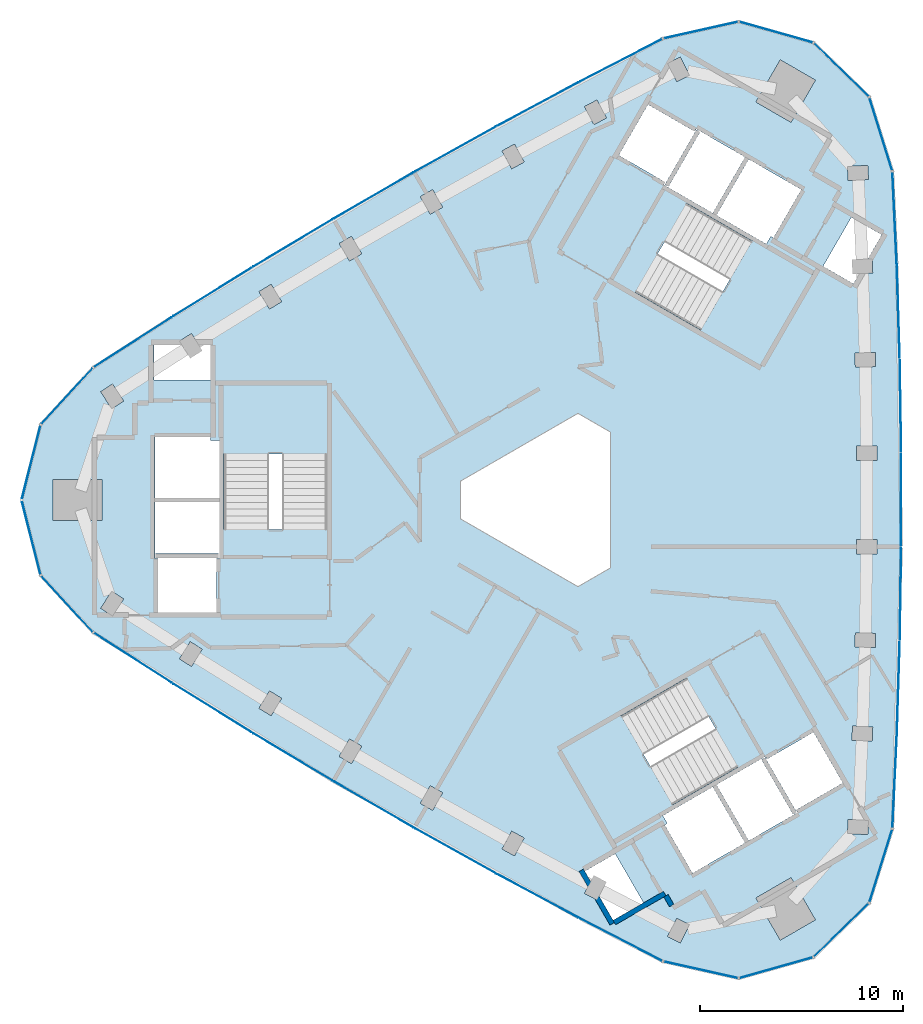
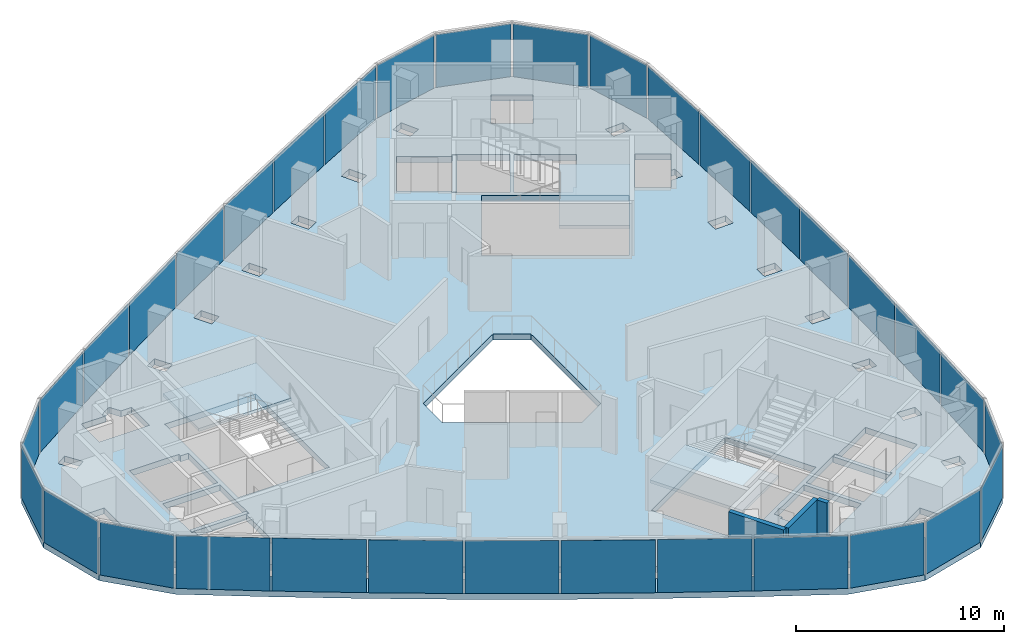
# One storey, part 5 of 10: 33 plates, 4 slabs, 3 walls, 6 elements without a shape of their own.
"""IFC4 building model written with IfcOpenShell, lengths in metres."""

from ifc_helpers import new_model, si_unit, direction, frame, frame_2d, origin, origin_2d, place, context, subcontext, project, spatial, polyline, rectangle, outline, extrude, material, layer, layer_set, type_object, element, aggregate, save


model = new_model("IFC4")

# Units and contexts
model_context = context("Model", 3, precision=1e-05, world=origin(), true_north=direction((0.0, 1.0)))
body_context = subcontext(model_context, "Body", "Model", "MODEL_VIEW")
ifc_project = project(units=[si_unit("LENGTHUNIT", "METRE"), si_unit("AREAUNIT", "SQUARE_METRE"), si_unit("VOLUMEUNIT", "CUBIC_METRE"), si_unit("PLANEANGLEUNIT", "RADIAN"), si_unit("MASSUNIT", "GRAM", prefix="KILO")], contexts=[model_context])

# Site, building, storey
site_placement = place(None, origin())
site = spatial("IfcSite", under=ifc_project, at=site_placement, CompositionType="ELEMENT")
building_placement = place(site_placement, origin())
building = spatial("IfcBuilding", under=site, at=building_placement, Name="Tamra Quay Hotel Tower", CompositionType="ELEMENT")
storey_placement = place(building_placement, frame((0.0, 0.0, 294.60009765625)))
storey = spatial("IfcBuildingStorey", under=building, at=storey_placement, Name="L74", CompositionType="ELEMENT", Elevation=294.60009765625)

# Stair, slab
ifc_material_1 = material(Name="Exit stair 2200 24 risers 150.0 going 342")
stair_type = type_object("IfcStairType", Name="Exit stair 2200 24 risers 150.0 going 342", PredefinedType="HALF_TURN_STAIR", material=ifc_material_1)
stair_1_placement = place(storey_placement, origin())
stair_1 = element("IfcStair", 1, at=stair_1_placement, inside=storey, type_object=stair_type, Name="L74 Exit stair ST3", PredefinedType="HALF_TURN_STAIR")
ifc_material_2 = material(Name="Concrete M70", Category="concrete")
ifc_layer_1 = layer(ifc_material_2, 0.175048828125)
ifc_layer_set_1 = layer_set([ifc_layer_1], Name="Concrete M70 stair landing 180")
slab_type_1 = type_object("IfcSlabType", Name="Concrete M70 stair landing 180", PredefinedType="LANDING", material=ifc_layer_set_1)
slab_1_placement = place(storey_placement, frame((0.0, 0.0, 1.625)))
slab_1 = element("IfcSlab", 2, at=slab_1_placement, type_object=slab_type_1, Name="ST3 landing 1", PredefinedType="LANDING", context=body_context, shape_type="SweptSolid", body=[
    extrude(outline(polyline([(-10.932373046875, 2.261962890625), (-10.932373046875, 5.679931640625), (-16.09130859375, 5.679931640625), (-16.09130859375, 2.261962890625), (-10.932373046875, 2.261962890625)])), origin(), (0.0, 0.0, 1.0), 0.1748046875),
])
aggregate(stair_1, [slab_1])

stair_2_placement = place(storey_placement, origin())
stair_2 = element("IfcStair", 3, at=stair_2_placement, inside=storey, type_object=stair_type, Name="L74 Exit stair ST1", PredefinedType="HALF_TURN_STAIR")
slab_2_placement = place(storey_placement, frame((0.0, 0.0, 1.625)))
slab_2 = element("IfcSlab", 4, at=slab_2_placement, type_object=slab_type_1, Name="ST1 landing 1", PredefinedType="LANDING", context=body_context, shape_type="SweptSolid", body=[
    extrude(outline(polyline([(7.425048828125, 8.336669921875), (10.385009765625, 6.627685546875), (12.964599609375, 11.095458984375), (10.00439453125, 12.804443359375), (7.425048828125, 8.336669921875)])), origin(), (0.0, 0.0, 1.0), 0.1748046875),
])
aggregate(stair_2, [slab_2])

stair_3_placement = place(storey_placement, origin())
stair_3 = element("IfcStair", 5, at=stair_3_placement, inside=storey, type_object=stair_type, Name="L74 Exit stair ST2", PredefinedType="HALF_TURN_STAIR")
slab_3_placement = place(storey_placement, frame((0.0, 0.0, 1.625)))
slab_3 = element("IfcSlab", 6, at=slab_3_placement, type_object=slab_type_1, Name="ST2 landing 1", PredefinedType="LANDING", context=body_context, shape_type="SweptSolid", body=[
    extrude(outline(polyline([(3.50732421875, -10.5986328125), (0.547119140625, -12.3076171875), (3.126708984375, -16.775390625), (6.086669921875, -15.06640625), (3.50732421875, -10.5986328125)])), origin(), (0.0, 0.0, 1.0), 0.1748046875),
])
aggregate(stair_3, [slab_3])

# Slab
ifc_material_3 = material(Name="Concrete M60", Category="concrete")
ifc_layer_2 = layer(ifc_material_3, 0.35009765625)
ifc_layer_set_2 = layer_set([ifc_layer_2], Name="FLOOR SLAB PT 350")
slab_type_2 = type_object("IfcSlabType", Name="FLOOR SLAB PT 350", PredefinedType="FLOOR", material=ifc_layer_set_2)
slab_4_placement = place(storey_placement, frame((0.0, 0.0, -0.35009765625)))
element("IfcSlab", 7, at=slab_4_placement, inside=storey, type_object=slab_type_2, Name="SLAB-L74", PredefinedType="FLOOR", context=body_context, shape_type="SweptSolid", body=[
    extrude(outline(polyline([(17.116943359375, 11.580810546875), (17.26171875, 6.9501953125), (17.333984375, 2.31689453125), (17.333984375, -2.31689453125), (17.26171875, -6.9501953125), (17.116943359375, -11.580810546875), (16.89990234375, -16.210205078125), (15.757080078125, -19.865966796875), (13.01171875, -22.536865234375), (9.325927734375, -23.5791015625), (5.58837890625, -22.740966796875), (1.470947265625, -20.614013671875), (-2.61181640625, -18.42431640625), (-6.660400390625, -16.170166015625), (-10.673583984375, -13.853271484375), (-14.64990234375, -11.473876953125), (-18.587890625, -9.033203125), (-22.488525390625, -6.530517578125), (-25.0830078125, -3.712890625), (-26.0234375, 0.0), (-25.0830078125, 3.712890625), (-22.488525390625, 6.530517578125), (-18.587890625, 9.033203125), (-14.64990234375, 11.473876953125), (-10.673583984375, 13.853271484375), (-6.660400390625, 16.170166015625), (-2.61181640625, 18.42431640625), (1.470947265625, 20.614013671875), (5.58837890625, 22.740966796875), (9.325927734375, 23.5791015625), (13.01171875, 22.536865234375), (15.757080078125, 19.865966796875), (16.89990234375, 16.210205078125), (17.116943359375, 11.580810546875)]), holes=[polyline([(-10.3671875, -12.641357421875), (-9.763671875, -12.99609375), (-9.2568359375, -12.13427734375), (-9.8603515625, -11.779296875), (-10.3671875, -12.641357421875)]), polyline([(-14.324462890625, -10.26708984375), (-13.7265625, -10.63134765625), (-13.206298828125, -9.77734375), (-13.803955078125, -9.4130859375), (-14.324462890625, -10.26708984375)]), polyline([(-18.244140625, -7.831298828125), (-17.652099609375, -8.20458984375), (-17.118896484375, -7.358642578125), (-17.7109375, -6.9853515625), (-18.244140625, -7.831298828125)]), polyline([(-21.57861328125, -4.497314453125), (-22.125244140625, -5.33447265625), (-21.539306640625, -5.71728515625), (-20.992431640625, -4.880126953125), (-21.57861328125, -4.497314453125)]), polyline([(-16.3173828125, -2.85498046875), (-19.4072265625, -2.85498046875), (-19.4072265625, -2.89306640625), (-19.307373046875, -2.89306640625), (-19.307373046875, -5.544921875), (-16.417236328125, -5.544921875), (-16.417236328125, -2.89306640625), (-16.3173828125, -2.89306640625), (-16.3173828125, -2.85498046875)]), polyline([(-19.417236328125, -2.64501953125), (-16.307373046875, -2.64501953125), (-16.307373046875, -2.89306640625), (-16.26708984375, -2.89306640625), (-16.26708984375, -0.10498046875), (-19.45751953125, -0.10498046875), (-19.45751953125, -2.89306640625), (-19.417236328125, -2.89306640625), (-19.417236328125, -2.64501953125)]), polyline([(-24.473388671875, 1.0), (-24.473388671875, -1.0), (-22.073486328125, -1.0), (-22.073486328125, 1.0), (-24.473388671875, 1.0)]), polyline([(-16.707275390625, 2.945068359375), (-16.707275390625, 3.09521484375), (-19.45751953125, 3.09521484375), (-19.45751953125, 0.10498046875), (-16.26708984375, 0.10498046875), (-16.26708984375, 2.945068359375), (-16.707275390625, 2.945068359375)]), polyline([(-16.036376953125, -1.455078125), (-10.9873046875, -1.455078125), (-10.9873046875, 5.625), (-16.036376953125, 5.625), (-16.036376953125, -1.455078125)]), polyline([(-20.992431640625, 4.880126953125), (-21.539306640625, 5.71728515625), (-22.125244140625, 5.33447265625), (-21.57861328125, 4.497314453125), (-20.992431640625, 4.880126953125)]), polyline([(-17.29931640625, 7.64501953125), (-17.652099609375, 8.20458984375), (-18.244140625, 7.831298828125), (-18.126708984375, 7.64501953125), (-19.50732421875, 7.64501953125), (-19.50732421875, 5.9150390625), (-16.71728515625, 5.9150390625), (-16.71728515625, 7.64501953125), (-17.29931640625, 7.64501953125)]), polyline([(-13.7265625, 10.63134765625), (-14.324462890625, 10.26708984375), (-13.803955078125, 9.4130859375), (-13.206298828125, 9.77734375), (-13.7265625, 10.63134765625)]), polyline([(-9.2568359375, 12.13427734375), (-9.763671875, 12.99609375), (-10.3671875, 12.641357421875), (-9.8603515625, 11.779296875), (-9.2568359375, 12.13427734375)]), polyline([(-5.271240234375, 14.428955078125), (-5.764404296875, 15.298828125), (-6.373291015625, 14.95361328125), (-5.880126953125, 14.083740234375), (-5.271240234375, 14.428955078125)]), polyline([(5.818359375, -21.51220703125), (6.44287109375, -21.828369140625), (6.89453125, -20.936279296875), (6.27001953125, -20.6201171875), (5.818359375, -21.51220703125)]), polyline([(3.236083984375, -17.43505859375), (1.73779296875, -18.300048828125), (2.02880859375, -18.80419921875), (1.720703125, -19.389404296875), (2.33984375, -19.715576171875), (2.442626953125, -19.520751953125), (3.1328125, -20.71630859375), (4.631103515625, -19.851318359375), (3.236083984375, -17.43505859375)]), polyline([(-2.34375, -17.203369140625), (-1.7294921875, -17.538818359375), (-1.25, -16.6611328125), (-1.864501953125, -16.32568359375), (-2.34375, -17.203369140625)]), polyline([(5.5830078125, -15.560302734375), (5.80322265625, -15.94140625), (5.673095703125, -16.0166015625), (7.04833984375, -18.398193359375), (9.6376953125, -16.903076171875), (8.042724609375, -14.14013671875), (5.5830078125, -15.560302734375)]), polyline([(12.214111328125, -15.369384765625), (11.999267578125, -15.493408203125), (10.4443359375, -12.800048828125), (10.6591796875, -12.676025390625), (10.63916015625, -12.64111328125), (8.224609375, -14.03515625), (9.819580078125, -16.798095703125), (12.234130859375, -15.404052734375), (12.214111328125, -15.369384765625)]), polyline([(-6.373291015625, -14.95361328125), (-5.764404296875, -15.298828125), (-5.271240234375, -14.428955078125), (-5.880126953125, -14.083740234375), (-6.373291015625, -14.95361328125)]), polyline([(6.75390625, -8.78759765625), (0.622314453125, -12.32763671875), (3.146728515625, -16.7001953125), (9.2783203125, -13.160400390625), (6.75390625, -8.78759765625)]), polyline([(-4.39990234375, 0.923828125), (-4.39990234375, -0.923828125), (1.39990234375, -4.2724609375), (3.0, -3.3486328125), (3.0, 3.3486328125), (1.39990234375, 4.2724609375), (-4.39990234375, 0.923828125)]), polyline([(6.758056640625, 14.615478515625), (4.2333984375, 10.242919921875), (10.364990234375, 6.702880859375), (12.889404296875, 11.075439453125), (6.758056640625, 14.615478515625)]), polyline([(7.203125, 18.262451171875), (7.41796875, 18.138427734375), (5.863037109375, 15.445068359375), (5.648193359375, 15.569091796875), (5.628173828125, 15.5341796875), (8.04248046875, 14.140380859375), (9.6376953125, 16.903076171875), (7.22314453125, 18.297119140625), (7.203125, 18.262451171875)]), polyline([(-1.7294921875, 17.538818359375), (-2.34375, 17.203369140625), (-1.864501953125, 16.32568359375), (-1.25, 16.6611328125), (-1.7294921875, 17.538818359375)]), polyline([(5.68603515625, 15.55859375), (7.231201171875, 18.234619140625), (7.1982421875, 18.253662109375), (7.148193359375, 18.1669921875), (4.8515625, 19.4931640625), (3.406494140625, 16.990234375), (5.703125, 15.664306640625), (5.6533203125, 15.57763671875), (5.68603515625, 15.55859375)]), polyline([(2.805908203125, 18.830810546875), (2.33984375, 19.715576171875), (1.720703125, 19.389404296875), (2.186767578125, 18.504638671875), (2.805908203125, 18.830810546875)]), polyline([(6.44287109375, 21.828369140625), (5.818359375, 21.51220703125), (6.27001953125, 20.6201171875), (6.89453125, 20.936279296875), (6.44287109375, 21.828369140625)]), polyline([(10.170654296875, -19.6162109375), (11.37060546875, -21.694580078125), (13.102783203125, -20.694580078125), (11.902587890625, -18.6162109375), (10.170654296875, -19.6162109375)]), polyline([(14.68408203125, -16.43896484375), (15.6826171875, -16.493896484375), (15.720947265625, -15.794921875), (14.722412109375, -15.739990234375), (14.68408203125, -16.43896484375)]), polyline([(12.176025390625, -15.379638671875), (12.208984375, -15.360595703125), (12.1591796875, -15.274169921875), (14.455810546875, -13.947998046875), (13.0107421875, -11.4453125), (10.714111328125, -12.771240234375), (10.6640625, -12.6845703125), (10.631103515625, -12.70361328125), (12.176025390625, -15.379638671875)]), polyline([(15.904296875, -11.88427734375), (15.931396484375, -11.184814453125), (14.93212890625, -11.14599609375), (14.905029296875, -11.845703125), (15.904296875, -11.88427734375)]), polyline([(16.0537109375, -7.271728515625), (16.0703125, -6.572021484375), (15.070556640625, -6.548095703125), (15.053955078125, -7.247802734375), (16.0537109375, -7.271728515625)]), polyline([(15.13134765625, -2.6494140625), (16.13134765625, -2.657470703125), (16.136962890625, -1.95751953125), (15.136962890625, -1.94970703125), (15.13134765625, -2.6494140625)]), polyline([(15.136962890625, 1.94970703125), (16.136962890625, 1.95751953125), (16.13134765625, 2.657470703125), (15.13134765625, 2.6494140625), (15.136962890625, 1.94970703125)]), polyline([(16.0703125, 6.572021484375), (16.0537109375, 7.271728515625), (15.053955078125, 7.247802734375), (15.070556640625, 6.548095703125), (16.0703125, 6.572021484375)]), polyline([(13.481201171875, 11.52001953125), (14.9794921875, 10.655029296875), (15.2705078125, 11.1591796875), (15.931396484375, 11.184814453125), (15.904296875, 11.88427734375), (15.68408203125, 11.875732421875), (16.37451171875, 13.0712890625), (14.876220703125, 13.936279296875), (13.481201171875, 11.52001953125)]), polyline([(10.904052734375, 12.996337890625), (11.0341796875, 12.92138671875), (12.4091796875, 15.302978515625), (9.819580078125, 16.798095703125), (8.224365234375, 14.035400390625), (10.68408203125, 12.615234375), (10.904052734375, 12.996337890625)]), polyline([(14.722412109375, 15.739990234375), (15.720947265625, 15.794921875), (15.6826171875, 16.493896484375), (14.68408203125, 16.43896484375), (14.722412109375, 15.739990234375)]), polyline([(11.902587890625, 18.6162109375), (13.102783203125, 20.694580078125), (11.37060546875, 21.694580078125), (10.170654296875, 19.6162109375), (11.902587890625, 18.6162109375)])]), origin(), (0.0, 0.0, 1.0), 0.35009765625),
])

# Curtain wall, plates
ifc_material_4 = material(Name="Aluminium 6063 anodised dark grey", Category="aluminium")
curtain_wall_type_1 = type_object("IfcCurtainWallType", Name="CW1 CURTAIN WALL", PredefinedType="NOTDEFINED", material=ifc_material_4)
curtain_wall_1_placement = place(storey_placement, origin())
curtain_wall_1 = element("IfcCurtainWall", 8, at=curtain_wall_1_placement, inside=storey, type_object=curtain_wall_type_1, Name="CW1 east face L74", PredefinedType="NOTDEFINED")
ifc_material_5 = material(Name="Glass clear laminated low-iron", Category="glass")
ifc_layer_3 = layer(ifc_material_5, 0.02587890625)
ifc_layer_set_3 = layer_set([ifc_layer_3], Name="GLASS PANEL CW1 Z6")
plate_type_1 = type_object("IfcPlateType", Name="GLASS PANEL CW1 Z6", PredefinedType="CURTAIN_PANEL", material=ifc_layer_set_3)
plate_1_placement = place(storey_placement, frame((17.00830078125, -13.8955078125, 0.0), z_axis=(0.0, 0.0, 1.0), x_axis=(0.04682126455, 0.998903283199, 0.0)))
plate_1 = element("IfcPlate", 9, at=plate_1_placement, type_object=plate_type_1, Name="CW1 glass L74.E.1", PredefinedType="CURTAIN_PANEL", context=body_context, shape_type="SweptSolid", body=[
    extrude(rectangle(XDim=4.534423828125, YDim=0.02587890625, at=origin_2d()), origin(), (0.0, 0.0, 1.0), 3.110107421875),
])
plate_2_placement = place(storey_placement, frame((17.189208984375, -9.265625, 0.0), z_axis=(0.0, 0.0, 1.0), x_axis=(0.031241804319, 0.999511855689, 0.0)))
plate_2 = element("IfcPlate", 10, at=plate_2_placement, type_object=plate_type_1, Name="CW1 glass L74.E.2", PredefinedType="CURTAIN_PANEL", context=body_context, shape_type="SweptSolid", body=[
    extrude(rectangle(XDim=4.532958984375, YDim=0.02587890625, at=origin_2d()), origin(), (0.0, 0.0, 1.0), 3.110107421875),
])
plate_3_placement = place(storey_placement, frame((17.2978515625, -4.633544921875, 0.0), z_axis=(0.0, 0.0, 1.0), x_axis=(0.01563239478, 0.999877806651, 0.0)))
plate_3 = element("IfcPlate", 11, at=plate_3_placement, type_object=plate_type_1, Name="CW1 glass L74.E.3", PredefinedType="CURTAIN_PANEL", context=body_context, shape_type="SweptSolid", body=[
    extrude(rectangle(XDim=4.533935546875, YDim=0.02587890625, at=origin_2d()), origin(), (0.0, 0.0, 1.0), 3.110107421875),
])
plate_4_placement = place(storey_placement, frame((17.333984375, 0.0, 0.0), z_axis=(0.0, 0.0, 1.0), x_axis=(0.0, 1.0, 0.0)))
plate_4 = element("IfcPlate", 12, at=plate_4_placement, type_object=plate_type_1, Name="CW1 glass L74.E.4", PredefinedType="CURTAIN_PANEL", context=body_context, shape_type="SweptSolid", body=[
    extrude(rectangle(XDim=4.533935546875, YDim=0.02587890625, at=origin_2d()), origin(), (0.0, 0.0, 1.0), 3.110107421875),
])
plate_5_placement = place(storey_placement, frame((17.2978515625, 4.633544921875, 0.0), z_axis=(0.0, 0.0, 1.0), x_axis=(-0.01563239478, 0.999877806651, 0.0)))
plate_5 = element("IfcPlate", 13, at=plate_5_placement, type_object=plate_type_1, Name="CW1 glass L74.E.5", PredefinedType="CURTAIN_PANEL", context=body_context, shape_type="SweptSolid", body=[
    extrude(rectangle(XDim=4.533935546875, YDim=0.02587890625, at=origin_2d()), origin(), (0.0, 0.0, 1.0), 3.110107421875),
])
plate_6_placement = place(storey_placement, frame((17.189208984375, 9.265625, 0.0), z_axis=(0.0, 0.0, 1.0), x_axis=(-0.031241804319, 0.999511855689, 0.0)))
plate_6 = element("IfcPlate", 14, at=plate_6_placement, type_object=plate_type_1, Name="CW1 glass L74.E.6", PredefinedType="CURTAIN_PANEL", context=body_context, shape_type="SweptSolid", body=[
    extrude(rectangle(XDim=4.532958984375, YDim=0.02587890625, at=origin_2d()), origin(), (0.0, 0.0, 1.0), 3.110107421875),
])
plate_7_placement = place(storey_placement, frame((17.00830078125, 13.8955078125, 0.0), z_axis=(0.0, 0.0, 1.0), x_axis=(-0.04682126455, 0.998903283199, 0.0)))
plate_7 = element("IfcPlate", 15, at=plate_7_placement, type_object=plate_type_1, Name="CW1 glass L74.E.7", PredefinedType="CURTAIN_PANEL", context=body_context, shape_type="SweptSolid", body=[
    extrude(rectangle(XDim=4.534423828125, YDim=0.02587890625, at=origin_2d()), origin(), (0.0, 0.0, 1.0), 3.110107421875),
])
plate_8_placement = place(storey_placement, frame((16.328369140625, 18.0380859375, 0.0), z_axis=(0.0, 0.0, 1.0), x_axis=(-0.29839239288, 0.954443282689, 0.0)))
plate_8 = element("IfcPlate", 16, at=plate_8_placement, type_object=plate_type_1, Name="CW1 glass L74.E.8", PredefinedType="CURTAIN_PANEL", context=body_context, shape_type="SweptSolid", body=[
    extrude(rectangle(XDim=3.730224609375, YDim=0.02587890625, at=origin_2d()), origin(), (0.0, 0.0, 1.0), 3.110107421875),
])
plate_9_placement = place(storey_placement, frame((14.38427734375, 21.201416015625, 0.0), z_axis=(0.0, 0.0, 1.0), x_axis=(-0.716752699854, 0.69732744622, 0.0)))
plate_9 = element("IfcPlate", 17, at=plate_9_placement, type_object=plate_type_1, Name="CW1 glass L74.E.9", PredefinedType="CURTAIN_PANEL", context=body_context, shape_type="SweptSolid", body=[
    extrude(rectangle(XDim=3.730224609375, YDim=0.02587890625, at=origin_2d()), origin(), (0.0, 0.0, 1.0), 3.110107421875),
])
plate_10_placement = place(storey_placement, frame((11.168701171875, 23.057861328125, 0.0), z_axis=(0.0, 0.0, 1.0), x_axis=(-0.96227963311, 0.272062323195, 0.0)))
plate_10 = element("IfcPlate", 18, at=plate_10_placement, type_object=plate_type_1, Name="CW1 glass L74.E.10", PredefinedType="CURTAIN_PANEL", context=body_context, shape_type="SweptSolid", body=[
    extrude(rectangle(XDim=3.730224609375, YDim=0.02587890625, at=origin_2d()), origin(), (0.0, 0.0, 1.0), 3.110107421875),
])
plate_11_placement = place(storey_placement, frame((7.457275390625, 23.159912109375, 0.0), z_axis=(0.0, 0.0, 1.0), x_axis=(-0.975768325721, -0.218806248814, 0.0)))
plate_11 = element("IfcPlate", 19, at=plate_11_placement, type_object=plate_type_1, Name="CW1 glass L74.E.11", PredefinedType="CURTAIN_PANEL", context=body_context, shape_type="SweptSolid", body=[
    extrude(rectangle(XDim=3.730224609375, YDim=0.02587890625, at=origin_2d()), origin(), (0.0, 0.0, 1.0), 3.110107421875),
])
aggregate(curtain_wall_1, [plate_1, plate_2, plate_3, plate_4, plate_5, plate_6, plate_7, plate_8, plate_9, plate_10, plate_11])

curtain_wall_type_2 = type_object("IfcCurtainWallType", Name="CW2 CURTAIN WALL", PredefinedType="NOTDEFINED", material=ifc_material_4)
curtain_wall_2_placement = place(storey_placement, origin())
curtain_wall_2 = element("IfcCurtainWall", 20, at=curtain_wall_2_placement, inside=storey, type_object=curtain_wall_type_2, Name="CW2 north-west face L74", PredefinedType="NOTDEFINED")
ifc_layer_4 = layer(ifc_material_5, 0.02587890625)
ifc_layer_set_4 = layer_set([ifc_layer_4], Name="GLASS PANEL CW2 Z6")
plate_type_2 = type_object("IfcPlateType", Name="GLASS PANEL CW2 Z6", PredefinedType="CURTAIN_PANEL", material=ifc_layer_set_4)
plate_12_placement = place(storey_placement, frame((3.52978515625, 21.677490234375, 0.0), z_axis=(0.0, 0.0, 1.0), x_axis=(-0.888486251449, -0.458903237062, 0.0)))
plate_12 = element("IfcPlate", 21, at=plate_12_placement, type_object=plate_type_2, Name="CW2 glass L74.NW.1", PredefinedType="CURTAIN_PANEL", context=body_context, shape_type="SweptSolid", body=[
    extrude(rectangle(XDim=4.534423828125, YDim=0.02587890625, at=origin_2d()), origin(), (0.0, 0.0, 1.0), 3.110107421875),
])
plate_13_placement = place(storey_placement, frame((-0.5703125, 19.51904296875, 0.0), z_axis=(0.0, 0.0, 1.0), x_axis=(-0.88122356057, -0.472699731644, 0.0)))
plate_13 = element("IfcPlate", 22, at=plate_13_placement, type_object=plate_type_2, Name="CW2 glass L74.NW.2", PredefinedType="CURTAIN_PANEL", context=body_context, shape_type="SweptSolid", body=[
    extrude(rectangle(XDim=4.532958984375, YDim=0.02587890625, at=origin_2d()), origin(), (0.0, 0.0, 1.0), 3.110107421875),
])
plate_14_placement = place(storey_placement, frame((-4.635986328125, 17.297119140625, 0.0), z_axis=(0.0, 0.0, 1.0), x_axis=(-0.87373577863, -0.486400852324, 0.0)))
plate_14 = element("IfcPlate", 23, at=plate_14_placement, type_object=plate_type_2, Name="CW2 glass L74.NW.3", PredefinedType="CURTAIN_PANEL", context=body_context, shape_type="SweptSolid", body=[
    extrude(rectangle(XDim=4.533935546875, YDim=0.02587890625, at=origin_2d()), origin(), (0.0, 0.0, 1.0), 3.110107421875),
])
plate_15_placement = place(storey_placement, frame((-8.6669921875, 15.01171875, 0.0), z_axis=(0.0, 0.0, 1.0), x_axis=(-0.866025403784, -0.5, 0.0)))
plate_15 = element("IfcPlate", 24, at=plate_15_placement, type_object=plate_type_2, Name="CW2 glass L74.NW.4", PredefinedType="CURTAIN_PANEL", context=body_context, shape_type="SweptSolid", body=[
    extrude(rectangle(XDim=4.533935546875, YDim=0.02587890625, at=origin_2d()), origin(), (0.0, 0.0, 1.0), 3.110107421875),
])
plate_16_placement = place(storey_placement, frame((-12.661865234375, 12.66357421875, 0.0), z_axis=(0.0, 0.0, 1.0), x_axis=(-0.85810338385, -0.513476954327, 0.0)))
plate_16 = element("IfcPlate", 25, at=plate_16_placement, type_object=plate_type_2, Name="CW2 glass L74.NW.5", PredefinedType="CURTAIN_PANEL", context=body_context, shape_type="SweptSolid", body=[
    extrude(rectangle(XDim=4.533935546875, YDim=0.02587890625, at=origin_2d()), origin(), (0.0, 0.0, 1.0), 3.110107421875),
])
plate_17_placement = place(storey_placement, frame((-16.618896484375, 10.25341796875, 0.0), z_axis=(0.0, 0.0, 1.0), x_axis=(-0.849981756251, -0.526812124045, 0.0)))
plate_17 = element("IfcPlate", 26, at=plate_17_placement, type_object=plate_type_2, Name="CW2 glass L74.NW.6", PredefinedType="CURTAIN_PANEL", context=body_context, shape_type="SweptSolid", body=[
    extrude(rectangle(XDim=4.532958984375, YDim=0.02587890625, at=origin_2d()), origin(), (0.0, 0.0, 1.0), 3.110107421875),
])
plate_18_placement = place(storey_placement, frame((-20.5380859375, 7.781982421875, 0.0), z_axis=(0.0, 0.0, 1.0), x_axis=(-0.841664986899, -0.540000046137, 0.0)))
plate_18 = element("IfcPlate", 27, at=plate_18_placement, type_object=plate_type_2, Name="CW2 glass L74.NW.7", PredefinedType="CURTAIN_PANEL", context=body_context, shape_type="SweptSolid", body=[
    extrude(rectangle(XDim=4.534423828125, YDim=0.02587890625, at=origin_2d()), origin(), (0.0, 0.0, 1.0), 3.110107421875),
])
plate_19_placement = place(storey_placement, frame((-23.78564453125, 5.121826171875, 0.0), z_axis=(0.0, 0.0, 1.0), x_axis=(-0.67737593284, -0.735637033875, 0.0)))
plate_19 = element("IfcPlate", 28, at=plate_19_placement, type_object=plate_type_2, Name="CW2 glass L74.NW.8", PredefinedType="CURTAIN_PANEL", context=body_context, shape_type="SweptSolid", body=[
    extrude(rectangle(XDim=3.730224609375, YDim=0.02587890625, at=origin_2d()), origin(), (0.0, 0.0, 1.0), 3.110107421875),
])
plate_20_placement = place(storey_placement, frame((-25.55322265625, 1.8564453125, 0.0), z_axis=(0.0, 0.0, 1.0), x_axis=(-0.245526933255, -0.969389769415, 0.0)))
plate_20 = element("IfcPlate", 29, at=plate_20_placement, type_object=plate_type_2, Name="CW2 glass L74.NW.9", PredefinedType="CURTAIN_PANEL", context=body_context, shape_type="SweptSolid", body=[
    extrude(rectangle(XDim=3.730224609375, YDim=0.02587890625, at=origin_2d()), origin(), (0.0, 0.0, 1.0), 3.110107421875),
])
plate_21_placement = place(storey_placement, frame((-25.55322265625, -1.8564453125, 0.0), z_axis=(0.0, 0.0, 1.0), x_axis=(0.245526933255, -0.969389769415, 0.0)))
plate_21 = element("IfcPlate", 30, at=plate_21_placement, type_object=plate_type_2, Name="CW2 glass L74.NW.10", PredefinedType="CURTAIN_PANEL", context=body_context, shape_type="SweptSolid", body=[
    extrude(rectangle(XDim=3.730224609375, YDim=0.02587890625, at=origin_2d()), origin(), (0.0, 0.0, 1.0), 3.110107421875),
])
plate_22_placement = place(storey_placement, frame((-23.78564453125, -5.121826171875, 0.0), z_axis=(0.0, 0.0, 1.0), x_axis=(0.67737593284, -0.735637033875, 0.0)))
plate_22 = element("IfcPlate", 31, at=plate_22_placement, type_object=plate_type_2, Name="CW2 glass L74.NW.11", PredefinedType="CURTAIN_PANEL", context=body_context, shape_type="SweptSolid", body=[
    extrude(rectangle(XDim=3.730224609375, YDim=0.02587890625, at=origin_2d()), origin(), (0.0, 0.0, 1.0), 3.110107421875),
])
aggregate(curtain_wall_2, [plate_12, plate_13, plate_14, plate_15, plate_16, plate_17, plate_18, plate_19, plate_20, plate_21, plate_22])

curtain_wall_type_3 = type_object("IfcCurtainWallType", Name="CW3 CURTAIN WALL", PredefinedType="NOTDEFINED", material=ifc_material_4)
curtain_wall_3_placement = place(storey_placement, origin())
curtain_wall_3 = element("IfcCurtainWall", 32, at=curtain_wall_3_placement, inside=storey, type_object=curtain_wall_type_3, Name="CW3 south-west face L74", PredefinedType="NOTDEFINED")
ifc_layer_5 = layer(ifc_material_5, 0.02587890625)
ifc_layer_set_5 = layer_set([ifc_layer_5], Name="GLASS PANEL CW3 Z6")
plate_type_3 = type_object("IfcPlateType", Name="GLASS PANEL CW3 Z6", PredefinedType="CURTAIN_PANEL", material=ifc_layer_set_5)
plate_23_placement = place(storey_placement, frame((-20.5380859375, -7.781982421875, 0.0), z_axis=(0.0, 0.0, 1.0), x_axis=(0.841664986899, -0.540000046137, 0.0)))
plate_23 = element("IfcPlate", 33, at=plate_23_placement, type_object=plate_type_3, Name="CW3 glass L74.SW.1", PredefinedType="CURTAIN_PANEL", context=body_context, shape_type="SweptSolid", body=[
    extrude(rectangle(XDim=4.534423828125, YDim=0.02587890625, at=origin_2d()), origin(), (0.0, 0.0, 1.0), 3.110107421875),
])
plate_24_placement = place(storey_placement, frame((-16.618896484375, -10.25341796875, 0.0), z_axis=(0.0, 0.0, 1.0), x_axis=(0.849981756251, -0.526812124045, 0.0)))
plate_24 = element("IfcPlate", 34, at=plate_24_placement, type_object=plate_type_3, Name="CW3 glass L74.SW.2", PredefinedType="CURTAIN_PANEL", context=body_context, shape_type="SweptSolid", body=[
    extrude(rectangle(XDim=4.532958984375, YDim=0.02587890625, at=origin_2d()), origin(), (0.0, 0.0, 1.0), 3.110107421875),
])
plate_25_placement = place(storey_placement, frame((-12.661865234375, -12.66357421875, 0.0), z_axis=(0.0, 0.0, 1.0), x_axis=(0.85810338385, -0.513476954327, 0.0)))
plate_25 = element("IfcPlate", 35, at=plate_25_placement, type_object=plate_type_3, Name="CW3 glass L74.SW.3", PredefinedType="CURTAIN_PANEL", context=body_context, shape_type="SweptSolid", body=[
    extrude(rectangle(XDim=4.533935546875, YDim=0.02587890625, at=origin_2d()), origin(), (0.0, 0.0, 1.0), 3.110107421875),
])
plate_26_placement = place(storey_placement, frame((-8.6669921875, -15.01171875, 0.0), z_axis=(0.0, 0.0, 1.0), x_axis=(0.866025403784, -0.5, 0.0)))
plate_26 = element("IfcPlate", 36, at=plate_26_placement, type_object=plate_type_3, Name="CW3 glass L74.SW.4", PredefinedType="CURTAIN_PANEL", context=body_context, shape_type="SweptSolid", body=[
    extrude(rectangle(XDim=4.533935546875, YDim=0.02587890625, at=origin_2d()), origin(), (0.0, 0.0, 1.0), 3.110107421875),
])
plate_27_placement = place(storey_placement, frame((-4.635986328125, -17.297119140625, 0.0), z_axis=(0.0, 0.0, 1.0), x_axis=(0.87373577863, -0.486400852324, 0.0)))
plate_27 = element("IfcPlate", 37, at=plate_27_placement, type_object=plate_type_3, Name="CW3 glass L74.SW.5", PredefinedType="CURTAIN_PANEL", context=body_context, shape_type="SweptSolid", body=[
    extrude(rectangle(XDim=4.533935546875, YDim=0.02587890625, at=origin_2d()), origin(), (0.0, 0.0, 1.0), 3.110107421875),
])
plate_28_placement = place(storey_placement, frame((-0.5703125, -19.51904296875, 0.0), z_axis=(0.0, 0.0, 1.0), x_axis=(0.88122356057, -0.472699731644, 0.0)))
plate_28 = element("IfcPlate", 38, at=plate_28_placement, type_object=plate_type_3, Name="CW3 glass L74.SW.6", PredefinedType="CURTAIN_PANEL", context=body_context, shape_type="SweptSolid", body=[
    extrude(rectangle(XDim=4.532958984375, YDim=0.02587890625, at=origin_2d()), origin(), (0.0, 0.0, 1.0), 3.110107421875),
])
plate_29_placement = place(storey_placement, frame((3.52978515625, -21.677490234375, 0.0), z_axis=(0.0, 0.0, 1.0), x_axis=(0.888486251449, -0.458903237062, 0.0)))
plate_29 = element("IfcPlate", 39, at=plate_29_placement, type_object=plate_type_3, Name="CW3 glass L74.SW.7", PredefinedType="CURTAIN_PANEL", context=body_context, shape_type="SweptSolid", body=[
    extrude(rectangle(XDim=4.534423828125, YDim=0.02587890625, at=origin_2d()), origin(), (0.0, 0.0, 1.0), 3.110107421875),
])
plate_30_placement = place(storey_placement, frame((7.457275390625, -23.159912109375, 0.0), z_axis=(0.0, 0.0, 1.0), x_axis=(0.975768325721, -0.218806248814, 0.0)))
plate_30 = element("IfcPlate", 40, at=plate_30_placement, type_object=plate_type_3, Name="CW3 glass L74.SW.8", PredefinedType="CURTAIN_PANEL", context=body_context, shape_type="SweptSolid", body=[
    extrude(rectangle(XDim=3.730224609375, YDim=0.02587890625, at=origin_2d()), origin(), (0.0, 0.0, 1.0), 3.110107421875),
])
plate_31_placement = place(storey_placement, frame((11.168701171875, -23.057861328125, 0.0), z_axis=(0.0, 0.0, 1.0), x_axis=(0.96227963311, 0.272062323195, 0.0)))
plate_31 = element("IfcPlate", 41, at=plate_31_placement, type_object=plate_type_3, Name="CW3 glass L74.SW.9", PredefinedType="CURTAIN_PANEL", context=body_context, shape_type="SweptSolid", body=[
    extrude(rectangle(XDim=3.730224609375, YDim=0.02587890625, at=origin_2d()), origin(), (0.0, 0.0, 1.0), 3.110107421875),
])
plate_32_placement = place(storey_placement, frame((14.38427734375, -21.201416015625, 0.0), z_axis=(0.0, 0.0, 1.0), x_axis=(0.716752699854, 0.69732744622, 0.0)))
plate_32 = element("IfcPlate", 42, at=plate_32_placement, type_object=plate_type_3, Name="CW3 glass L74.SW.10", PredefinedType="CURTAIN_PANEL", context=body_context, shape_type="SweptSolid", body=[
    extrude(rectangle(XDim=3.730224609375, YDim=0.02587890625, at=origin_2d()), origin(), (0.0, 0.0, 1.0), 3.110107421875),
])
plate_33_placement = place(storey_placement, frame((16.328369140625, -18.0380859375, 0.0), z_axis=(0.0, 0.0, 1.0), x_axis=(0.29839239288, 0.954443282689, 0.0)))
plate_33 = element("IfcPlate", 43, at=plate_33_placement, type_object=plate_type_3, Name="CW3 glass L74.SW.11", PredefinedType="CURTAIN_PANEL", context=body_context, shape_type="SweptSolid", body=[
    extrude(rectangle(XDim=3.730224609375, YDim=0.02587890625, at=origin_2d()), origin(), (0.0, 0.0, 1.0), 3.110107421875),
])
aggregate(curtain_wall_3, [plate_23, plate_24, plate_25, plate_26, plate_27, plate_28, plate_29, plate_30, plate_31, plate_32, plate_33])

# Walls
ifc_layer_6 = layer(ifc_material_2, 0.25)
ifc_layer_set_6 = layer_set([ifc_layer_6], Name="Concrete M70 core wall 250")
wall_type = type_object("IfcWallType", Name="Concrete M70 core wall 250", PredefinedType="SHEAR", material=ifc_layer_set_6)
wall_1_placement = place(storey_placement, frame((3.085205078125, -20.893798828125, 0.0), z_axis=(0.0, 0.0, 1.0), x_axis=(-0.499978833458, 0.866037623948, 0.0)))
element("IfcWall", 44, at=wall_1_placement, inside=storey, type_object=wall_type, Name="CW1", PredefinedType="SHEAR", context=body_context, shape_type="SweptSolid", body=[
    extrude(rectangle(XDim=3.050048828125, YDim=0.25, at=frame_2d((1.52490234375, 0.0))), origin(), (0.0, 0.0, 1.0), 3.25),
])
wall_2_placement = place(storey_placement, frame((5.6748046875, -19.39892578125, 0.0), z_axis=(0.0, 0.0, 1.0), x_axis=(-0.866026637627, -0.499997862916, 0.0)))
element("IfcWall", 45, at=wall_2_placement, inside=storey, type_object=wall_type, Name="CW1", PredefinedType="SHEAR", context=body_context, shape_type="SweptSolid", body=[
    extrude(rectangle(XDim=2.86474609375, YDim=0.25, at=frame_2d((1.432373046875, 0.0))), origin(), (0.0, 0.0, 1.0), 3.25),
])
wall_3_placement = place(storey_placement, frame((6.01708984375, -19.99169921875, 0.0), z_axis=(0.0, 0.0, 1.0), x_axis=(-0.500364886717, 0.865814633822, 0.0)))
element("IfcWall", 46, at=wall_3_placement, inside=storey, type_object=wall_type, Name="CW1", PredefinedType="SHEAR", context=body_context, shape_type="SweptSolid", body=[
    extrude(rectangle(XDim=0.55908203125, YDim=0.25, at=frame_2d((0.279541015625, 0.0))), origin(), (0.0, 0.0, 1.0), 3.25),
])

save(model, "model.ifc")
